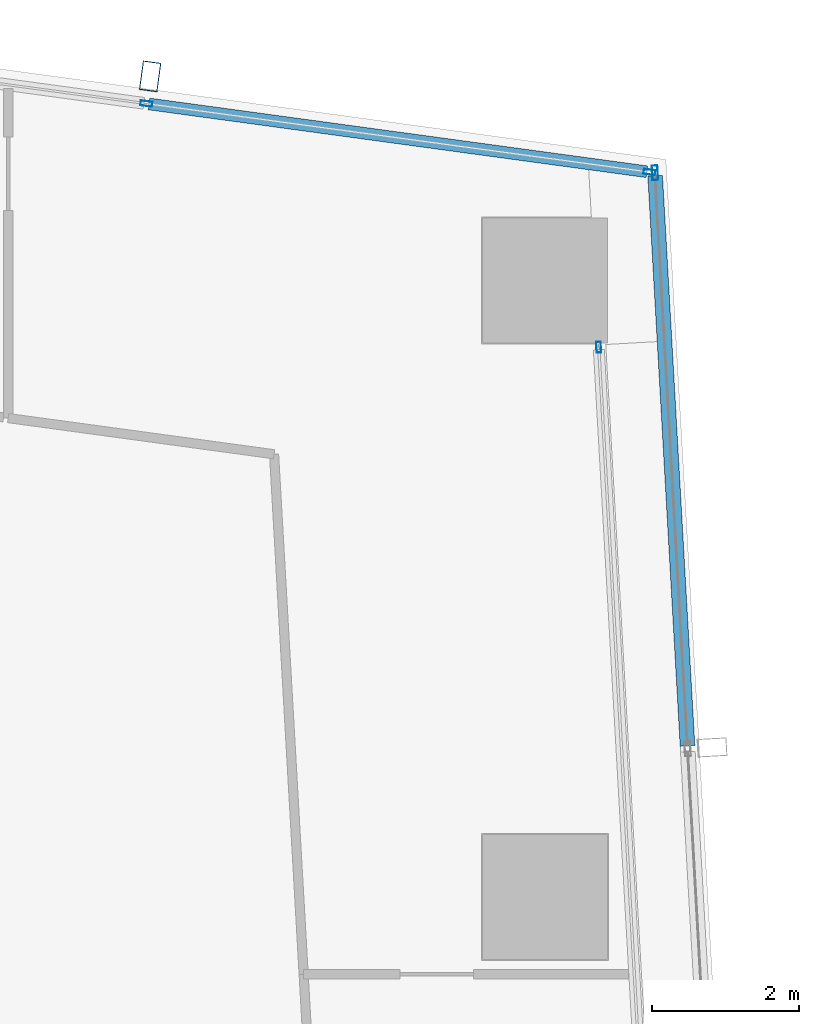
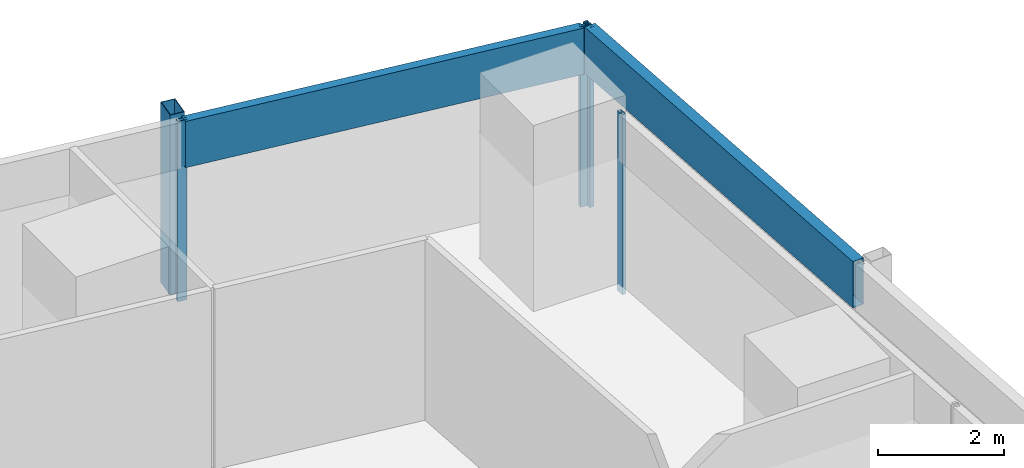
# One storey, part 24 of 39: 7 members, 3 elements without a shape of their own.
"""IFC4 building model written with IfcOpenShell, lengths in metres."""

import ifcopenshell
import ifcopenshell.guid

model = None  # the IFC model being written
_history = None  # IfcOwnerHistory: only IFC2X3 demands one
_inside = {}  # id of a spatial element -> (the spatial element, [elements in it])
_under = {}  # id of a project, library or spatial element -> (it, [spatial elements below it])
_declared = {}  # id of a project -> (the project, [libraries it declares])
_typed = {}  # id of a type object -> (the type object, [elements of that type])
_made_of = {}  # id of a material, layer set ... -> (it, [elements and type objects made of it])


def new_model(schema):
    """Start an empty IFC model of exactly this schema.

    Asked for "IFC4X3", IfcOpenShell would pick the latest addendum, in which some entities
    have other attributes; the version numbers below select the first issue.
    IFC2X3 requires an IfcOwnerHistory on every rooted entity: one is made here for all.
    """
    global model, _history
    if schema == "IFC4X3":
        model = ifcopenshell.file(schema_version=(4, 3, 0, 0))
    else:
        model = ifcopenshell.file(schema=schema)
    _inside.clear()
    _under.clear()
    _declared.clear()
    _typed.clear()
    _made_of.clear()
    _history = None
    if model.schema == "IFC2X3":
        org = make("IfcOrganization", Name="unknown")
        user = make(
            "IfcPersonAndOrganization",
            ThePerson=make("IfcPerson", FamilyName="unknown"),
            TheOrganization=org,
        )
        app = make(
            "IfcApplication",
            ApplicationDeveloper=org,
            Version="unknown",
            ApplicationFullName="unknown",
            ApplicationIdentifier="unknown",
        )
        _history = make(
            "IfcOwnerHistory",
            OwningUser=user,
            OwningApplication=app,
            ChangeAction="ADDED",
            CreationDate=0,
        )
    return model


def make(cls, **values):
    """One entity of the class cls with the attributes given. An attribute that is None is left unset."""
    return model.create_entity(
        cls, **{name: value for name, value in values.items() if value is not None}
    )


def rooted(cls, **values):
    """An entity with a GlobalId (a new one), such as an element, a storey or a relation."""
    return make(cls, GlobalId=ifcopenshell.guid.new(), OwnerHistory=_history, **values)


def si_unit(unit_type, name, prefix=None):
    """IfcSIUnit, for example si_unit("LENGTHUNIT", "METRE", prefix="MILLI")."""
    return make("IfcSIUnit", UnitType=unit_type, Prefix=prefix, Name=name)


def assignment(units):
    """IfcUnitAssignment: the units of a project."""
    return None if units is None else make("IfcUnitAssignment", Units=units)


def point(xyz):
    """IfcCartesianPoint."""
    return None if xyz is None else make("IfcCartesianPoint", Coordinates=xyz)


def direction(xyz):
    """IfcDirection."""
    return None if xyz is None else make("IfcDirection", DirectionRatios=xyz)


def frame(location, z_axis=None, x_axis=None):
    """IfcAxis2Placement3D, a coordinate frame: its origin and axes. An axis left out is left unset."""
    return make(
        "IfcAxis2Placement3D",
        Location=point(location),
        Axis=direction(z_axis),
        RefDirection=direction(x_axis),
    )


def frame_2d(location, x_axis=None):
    """IfcAxis2Placement2D, a coordinate frame in the plane: its origin and x axis."""
    return make(
        "IfcAxis2Placement2D", Location=point(location), RefDirection=direction(x_axis)
    )


def origin():
    """The frame at (0, 0, 0) with its axes left unset."""
    return frame((0.0, 0.0, 0.0))


def origin_2d():
    """The frame at (0, 0) in the plane with its x axis left unset."""
    return frame_2d((0.0, 0.0))


def place(relative_to, where):
    """IfcLocalPlacement: puts the frame where relative to a parent placement (None: the world)."""
    return make(
        "IfcLocalPlacement", PlacementRelTo=relative_to, RelativePlacement=where
    )


def context(
    kind, dimensions, precision=None, world=None, true_north=None, identifier=None
):
    """IfcGeometricRepresentationContext, for example the 3D "Model" context."""
    return make(
        "IfcGeometricRepresentationContext",
        ContextIdentifier=identifier,
        ContextType=kind,
        CoordinateSpaceDimension=dimensions,
        Precision=precision,
        WorldCoordinateSystem=world,
        TrueNorth=true_north,
    )


def subcontext(parent, identifier, kind, view, scale=None):
    """IfcGeometricRepresentationSubContext, for example "Body" below "Model"."""
    return make(
        "IfcGeometricRepresentationSubContext",
        ContextIdentifier=identifier,
        ContextType=kind,
        ParentContext=parent,
        TargetScale=scale,
        TargetView=view,
    )


def project(units=None, contexts=None):
    """IfcProject with its units and contexts."""
    return rooted(
        "IfcProject",
        Name="project",
        RepresentationContexts=contexts,
        UnitsInContext=assignment(units),
    )


def spatial(cls, under=None, at=None, **own):
    """A site, building, storey or space (cls), placed at a placement, below another one or the project."""
    s = rooted(cls, ObjectPlacement=at, **own)
    if under is not None:
        _under.setdefault(under.id(), (under, []))[1].append(s)
    return s


def profile(cls, at=None, kind="AREA", **sizes):
    """A parametric profile (cls). Its sizes go by their IFC names, for example OverallWidth=200.0."""
    return make(cls, ProfileType=kind, Position=at, **sizes)


def hollow_rectangle(**sizes):
    """IfcRectangleHollowProfileDef."""
    return profile("IfcRectangleHollowProfileDef", **sizes)


def extrude(swept, where, along, depth):
    """IfcExtrudedAreaSolid: the profile swept, set in the frame where, extruded along a direction by depth."""
    return make(
        "IfcExtrudedAreaSolid",
        SweptArea=swept,
        Position=where,
        ExtrudedDirection=direction(along),
        Depth=depth,
    )


def shape(context_of_items, identifier, shape_type, items):
    """IfcShapeRepresentation: the items that make up one representation, for example the "Body"."""
    return make(
        "IfcShapeRepresentation",
        ContextOfItems=context_of_items,
        RepresentationIdentifier=identifier,
        RepresentationType=shape_type,
        Items=items,
    )


def material(Name=None, Category=None):
    """IfcMaterial."""
    return make("IfcMaterial", Name=Name, Category=Category)


def material_profile(
    of_material, cross_section, Name=None, Category=None, Priority=None
):
    """IfcMaterialProfile: a cross section and its material."""
    return make(
        "IfcMaterialProfile",
        Name=Name,
        Material=of_material,
        Profile=cross_section,
        Priority=Priority,
        Category=Category,
    )


def profile_set(profiles, Name=None, composite=None):
    """IfcMaterialProfileSet."""
    return make(
        "IfcMaterialProfileSet",
        Name=Name,
        MaterialProfiles=profiles,
        CompositeProfile=composite,
    )


def made_of(thing, what):
    """Note that an element or type object is made of a material, layer set ...; save() writes the relation."""
    if what is not None:
        _made_of.setdefault(what.id(), (what, []))[1].append(thing)
    return thing


def type_object(cls, material=None, **own):
    """A type object (cls), such as IfcWallType, which elements share."""
    return made_of(rooted(cls, **own), material)


def element(
    cls,
    number,
    at=None,
    inside=None,
    cuts=None,
    type_object=None,
    material=None,
    context=None,
    identifier="Body",
    shape_type=None,
    held_by="IfcProductDefinitionShape",
    body=None,
    shapes=None,
    **own,
):
    """One element of the class cls, such as IfcWall. Its Tag is "e" and its number.

    at: its placement. inside: the storey or other place that contains it. cuts: it is an
    opening in that element (IfcRelVoidsElement). A single representation is given by context,
    identifier, shape_type and body (its items); several are given by shapes. held_by: the class
    of the entity that holds the representations. save() writes the other relations.
    """
    e = rooted(cls, Tag="e%d" % number, ObjectPlacement=at, **own)
    if body is not None:
        shapes = [shape(context, identifier, shape_type, body)]
    if shapes is not None:
        e.Representation = make(held_by, Representations=shapes)
    if inside is not None:
        _inside.setdefault(inside.id(), (inside, []))[1].append(e)
    if cuts is not None:
        rooted(
            "IfcRelVoidsElement", RelatingBuildingElement=cuts, RelatedOpeningElement=e
        )
    if type_object is not None:
        _typed.setdefault(type_object.id(), (type_object, []))[1].append(e)
    return made_of(e, material)


def aggregate(whole, parts):
    """IfcRelAggregates: a whole, such as a stair, and the parts it consists of."""
    return rooted("IfcRelAggregates", RelatingObject=whole, RelatedObjects=parts)


def save(model, path):
    """Write the relations noted so far, then the file.

    IfcRelAggregates (storeys below a building ...), IfcRelContainedInSpatialStructure (elements
    in a storey), IfcRelDefinesByType, IfcRelAssociatesMaterial and IfcRelDeclares: one each for
    every whole, place, type object, material and project.
    """
    for whole, parts in _under.values():
        aggregate(whole, parts)
    for where, things in _inside.values():
        rooted(
            "IfcRelContainedInSpatialStructure",
            RelatedElements=things,
            RelatingStructure=where,
        )
    for kind, things in _typed.values():
        rooted("IfcRelDefinesByType", RelatedObjects=things, RelatingType=kind)
    for what, things in _made_of.values():
        rooted("IfcRelAssociatesMaterial", RelatedObjects=things, RelatingMaterial=what)
    for by, libraries in _declared.values():
        rooted("IfcRelDeclares", RelatingContext=by, RelatedDefinitions=libraries)
    model.write(path)


model = new_model("IFC4")

# Units and contexts
model_context = context("Model", 3, precision=1e-05, world=origin(), true_north=direction((0.0, 1.0)))
body_context = subcontext(model_context, "Body", "Model", "MODEL_VIEW")
ifc_project = project(units=[si_unit("LENGTHUNIT", "METRE"), si_unit("AREAUNIT", "SQUARE_METRE"), si_unit("VOLUMEUNIT", "CUBIC_METRE"), si_unit("PLANEANGLEUNIT", "RADIAN"), si_unit("MASSUNIT", "GRAM", prefix="KILO")], contexts=[model_context])

# Site, building, storey
site_placement = place(None, origin())
site = spatial("IfcSite", under=ifc_project, at=site_placement, CompositionType="ELEMENT")
building_placement = place(site_placement, origin())
building = spatial("IfcBuilding", under=site, at=building_placement, Name="Rekha Terrace Tower", CompositionType="ELEMENT")
storey_placement = place(building_placement, frame((0.0, 0.0, 180.199951171875)))
storey = spatial("IfcBuildingStorey", under=building, at=storey_placement, Name="L45", CompositionType="ELEMENT", Elevation=180.199951171875)

# Curtain wall, member
ifc_material_1 = material(Name="Aluminium framing", Category="aluminium")
curtain_wall_type_1 = type_object("IfcCurtainWallType", Name="CW3 north unitised glazing", PredefinedType="USERDEFINED", material=ifc_material_1)
curtain_wall_1_placement = place(storey_placement, origin())
curtain_wall_1 = element("IfcCurtainWall", 1, at=curtain_wall_1_placement, inside=storey, type_object=curtain_wall_type_1, Name="CW3 unitised curtain wall", ObjectType="UNITISED CURTAIN WALL", PredefinedType="USERDEFINED")
ifc_material_2 = material(Name="Steel S355 with fluorocarbon finish", Category="steel")
ifc_material_profile_1 = material_profile(ifc_material_2, hollow_rectangle(XDim=0.25, YDim=0.39990234375, WallThickness=0.012451171875, at=origin_2d()), Name="RHS400x250x12.5")
ifc_profile_set_1 = profile_set([ifc_material_profile_1], Name="Steel S355 with fluorocarbon finish")
member_type_1 = type_object("IfcMemberType", Name="BL1 facade blade RHS 400 x 250", PredefinedType="USERDEFINED", material=ifc_profile_set_1)
member_1_placement = place(storey_placement, frame((53.419921875, 61.583251953125, 0.0), z_axis=(0.0, 0.0, 1.0), x_axis=(-0.990867309488, 0.134840553943, 0.0)))
member_1 = element("IfcMember", 2, at=member_1_placement, type_object=member_type_1, Name="Facade blade", ObjectType="FACADE BLADE", PredefinedType="USERDEFINED", context=body_context, shape_type="SweptSolid", body=[
    extrude(hollow_rectangle(XDim=0.25, YDim=0.39990234375, WallThickness=0.012451171875, at=origin_2d()), origin(), (0.0, 0.0, 1.0), 3.5),
])

curtain_wall_type_2 = type_object("IfcCurtainWallType", Name="CW1 double skin inner glazing", PredefinedType="USERDEFINED", material=ifc_material_1)
curtain_wall_2_placement = place(storey_placement, origin())
curtain_wall_2 = element("IfcCurtainWall", 3, at=curtain_wall_2_placement, inside=storey, type_object=curtain_wall_type_2, Name="CW1 double skin inner glazing", ObjectType="DOUBLE SKIN INNER GLAZING", PredefinedType="USERDEFINED")
ifc_material_3 = material(Name="Aluminium mullion section", Category="aluminium")
ifc_material_profile_2 = material_profile(ifc_material_3, hollow_rectangle(XDim=0.06494140625, YDim=0.14990234375, WallThickness=0.00390625, at=origin_2d()), Name="AL RHS 65x150")
ifc_profile_set_2 = profile_set([ifc_material_profile_2], Name="Aluminium mullion section")
member_type_2 = type_object("IfcMemberType", Name="CW1 mullion RHS 65 x 150", PredefinedType="MULLION", material=ifc_profile_set_2)
member_2_placement = place(storey_placement, frame((59.533447265625, 57.89208984375, 0.0), z_axis=(0.0, 0.0, 1.0), x_axis=(-0.998392782918, -0.056673194877, 0.0)))
member_2 = element("IfcMember", 4, at=member_2_placement, type_object=member_type_2, Name="CW1 mullion 4", PredefinedType="MULLION", context=body_context, shape_type="SweptSolid", body=[
    extrude(hollow_rectangle(XDim=0.06494140625, YDim=0.14990234375, WallThickness=0.00390625, at=origin_2d()), origin(), (0.0, 0.0, 1.0), 3.5),
])
aggregate(curtain_wall_2, [member_2])

# Curtain wall, members
curtain_wall_type_3 = type_object("IfcCurtainWallType", Name="CW2 double skin outer glazing", PredefinedType="USERDEFINED", material=ifc_material_1)
curtain_wall_3_placement = place(storey_placement, origin())
curtain_wall_3 = element("IfcCurtainWall", 5, at=curtain_wall_3_placement, inside=storey, type_object=curtain_wall_type_3, Name="CW2 double skin outer glazing", ObjectType="DOUBLE SKIN OUTER GLAZING", PredefinedType="USERDEFINED")
ifc_material_profile_3 = material_profile(ifc_material_3, hollow_rectangle(XDim=0.080078125, YDim=0.199951171875, WallThickness=0.00390625, at=origin_2d()), Name="AL RHS 80x200")
ifc_profile_set_3 = profile_set([ifc_material_profile_3], Name="Aluminium mullion section")
member_type_3 = type_object("IfcMemberType", Name="CW2 mullion RHS 80 x 200", PredefinedType="MULLION", material=ifc_profile_set_3)
member_3_placement = place(storey_placement, frame((60.300048828125, 60.269287109375, 0.0), z_axis=(0.0, 0.0, 1.0), x_axis=(-0.998392782919, -0.05667319486, 0.0)))
member_3 = element("IfcMember", 6, at=member_3_placement, type_object=member_type_3, Name="CW2 mullion 5", PredefinedType="MULLION", context=body_context, shape_type="SweptSolid", body=[
    extrude(hollow_rectangle(XDim=0.080078125, YDim=0.199951171875, WallThickness=0.00390625, at=origin_2d()), origin(), (0.0, 0.0, 1.0), 3.5),
])
ifc_material_4 = material(Name="Insulated aluminium spandrel box", Category="aluminium")
ifc_material_profile_4 = material_profile(ifc_material_4, hollow_rectangle(XDim=0.199951171875, YDim=0.89990234375, WallThickness=0.0029296875, at=origin_2d()), Name="AL SPANDREL BOX 200x900")
ifc_profile_set_4 = profile_set([ifc_material_profile_4], Name="Insulated aluminium spandrel box")
member_type_4 = type_object("IfcMemberType", Name="CW2 spandrel transom 200 x 900", PredefinedType="USERDEFINED", material=ifc_profile_set_4)
member_4_placement = place(storey_placement, frame((60.743408203125, 52.45849609375, 3.050048828125), z_axis=(-0.05667908121, 0.998392448766, 0.0), x_axis=(-0.998392448766, -0.05667908121, 0.0)))
member_4 = element("IfcMember", 7, at=member_4_placement, type_object=member_type_4, Name="CW2 spandrel transom 4", ObjectType="TRANSOM", PredefinedType="USERDEFINED", context=body_context, shape_type="SweptSolid", body=[
    extrude(hollow_rectangle(XDim=0.199951171875, YDim=0.89990234375, WallThickness=0.0029296875, at=origin_2d()), origin(), (0.0, 0.0, 1.0), 7.783447265625),
])
aggregate(curtain_wall_3, [member_3, member_4])

# Member
ifc_material_profile_5 = material_profile(ifc_material_3, hollow_rectangle(XDim=0.070068359375, YDim=0.159912109375, WallThickness=0.00390625, at=origin_2d()), Name="AL RHS 70x160")
ifc_profile_set_5 = profile_set([ifc_material_profile_5], Name="Aluminium mullion section")
member_type_5 = type_object("IfcMemberType", Name="CW3 mullion RHS 70 x 160", PredefinedType="MULLION", material=ifc_profile_set_5)
member_5_placement = place(storey_placement, frame((60.22509765625, 60.27880859375, 0.0), z_axis=(0.0, 0.0, 1.0), x_axis=(-0.134840840416, -0.990867270504, 0.0)))
member_5 = element("IfcMember", 8, at=member_5_placement, type_object=member_type_5, Name="CW3 mullion 1", PredefinedType="MULLION", context=body_context, shape_type="SweptSolid", body=[
    extrude(hollow_rectangle(XDim=0.070068359375, YDim=0.159912109375, WallThickness=0.00390625, at=origin_2d()), origin(), (0.0, 0.0, 1.0), 3.5),
])

member_6_placement = place(storey_placement, frame((53.369384765625, 61.211669921875, 0.0), z_axis=(0.0, 0.0, 1.0), x_axis=(-0.134840840416, -0.990867270504, 0.0)))
member_6 = element("IfcMember", 9, at=member_6_placement, type_object=member_type_5, Name="CW3 mullion 2", PredefinedType="MULLION", context=body_context, shape_type="SweptSolid", body=[
    extrude(hollow_rectangle(XDim=0.070068359375, YDim=0.159912109375, WallThickness=0.00390625, at=origin_2d()), origin(), (0.0, 0.0, 1.0), 3.5),
])

ifc_material_profile_6 = material_profile(ifc_material_4, hollow_rectangle(XDim=0.159912109375, YDim=0.89990234375, WallThickness=0.0029296875, at=origin_2d()), Name="AL SPANDREL BOX 160x900")
ifc_profile_set_6 = profile_set([ifc_material_profile_6], Name="Insulated aluminium spandrel box")
member_type_6 = type_object("IfcMemberType", Name="CW3 spandrel transom 160 x 900", PredefinedType="USERDEFINED", material=ifc_profile_set_6)
member_7_placement = place(storey_placement, frame((60.190185546875, 60.283447265625, 3.050048828125), z_axis=(-0.990865276141, 0.134855495022, 0.0), x_axis=(-0.134855495022, -0.990865276141, 0.0)))
member_7 = element("IfcMember", 10, at=member_7_placement, type_object=member_type_6, Name="CW3 spandrel transom 1", ObjectType="TRANSOM", PredefinedType="USERDEFINED", context=body_context, shape_type="SweptSolid", body=[
    extrude(hollow_rectangle(XDim=0.159912109375, YDim=0.89990234375, WallThickness=0.0029296875, at=origin_2d()), origin(), (0.0, 0.0, 1.0), 6.8486328125),
])

aggregate(curtain_wall_1, [member_5, member_6, member_7, member_1])

save(model, "model.ifc")
